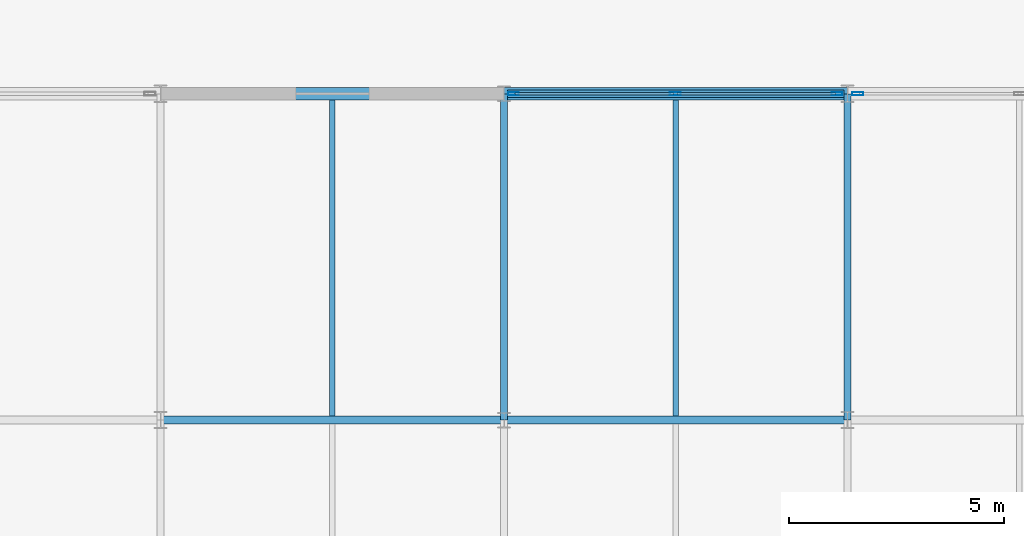
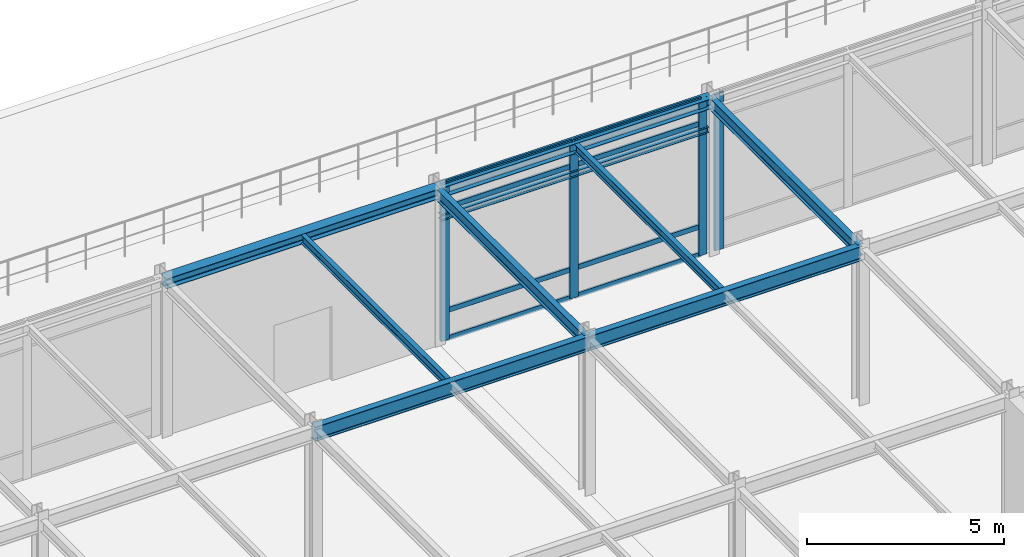
# One storey, part 40 of 79: 12 members, 9 beams, 2 elements without a shape of their own.
"""IFC4 building model written with IfcOpenShell, lengths in metres."""

from ifc_helpers import new_model, si_unit, direction, frame, origin, origin_2d, place, context, subcontext, project, spatial, hollow_rectangle, i_section, extrude, material, layer, layer_set, material_profile, profile_set, type_object, element, aggregate, save


model = new_model("IFC4")

# Units and contexts
model_context = context("Model", 3, precision=1e-05, world=origin(), true_north=direction((0.0, 1.0)))
body_context = subcontext(model_context, "Body", "Model", "MODEL_VIEW")
ifc_project = project(units=[si_unit("LENGTHUNIT", "METRE"), si_unit("AREAUNIT", "SQUARE_METRE"), si_unit("VOLUMEUNIT", "CUBIC_METRE"), si_unit("PLANEANGLEUNIT", "RADIAN"), si_unit("MASSUNIT", "GRAM", prefix="KILO")], contexts=[model_context])

# Site, building, storey
site_placement = place(None, origin())
site = spatial("IfcSite", under=ifc_project, at=site_placement, CompositionType="ELEMENT")
building_placement = place(site_placement, origin())
building = spatial("IfcBuilding", under=site, at=building_placement, Name="Shalkamar Park Central Library", CompositionType="ELEMENT")
storey_placement = place(building_placement, frame((0.0, 0.0, 10.5)))
storey = spatial("IfcBuildingStorey", under=building, at=storey_placement, Name="L03", CompositionType="ELEMENT", Elevation=10.5)

# Beams
ifc_material_1 = material(Name="Steel S355", Category="steel")
ifc_material_profile_1 = material_profile(ifc_material_1, i_section(OverallWidth=0.135009765625, OverallDepth=0.27001953125, WebThickness=0.006591796875, FlangeThickness=0.01025390625, FilletRadius=0.014892578125, at=origin_2d()), Name="IPE 270")
ifc_profile_set_1 = profile_set([ifc_material_profile_1], Name="Steel S355")
beam_type_1 = type_object("IfcBeamType", Name="Composite Floor Joist IPE270", PredefinedType="JOIST", material=ifc_profile_set_1)
for number, where, z_axis, x_axis, name in (
    (1, (185.0, 316.093017578125, 4.705078125), (0.0, 1.0, 0.0), (-1.0, 0.0, 0.0), "Composite Joist 09/L-1 (L03)"),
    (2, (193.0, 316.093017578125, 4.705078125), (0.0, 1.0, 0.0), (-1.0, 0.0, 0.0), "Composite Joist 10/L-1 (L03)"),
):
    element("IfcBeam", number, at=place(storey_placement, frame(where, z_axis=z_axis, x_axis=x_axis)), inside=storey, type_object=beam_type_1, Name=name, PredefinedType="JOIST", context=body_context, shape_type="SweptSolid", body=[
        extrude(i_section(OverallWidth=0.135009765625, OverallDepth=0.27001953125, WebThickness=0.006591796875, FlangeThickness=0.01025390625, FilletRadius=0.014892578125, at=origin_2d()), origin(), (0.0, 0.0, 1.0), 7.35888671875),
    ])

# Curtain wall, members
ifc_material_2 = material(Name="Thermally broken aluminium and triple low-e curtain wall", Category="aluminium")
ifc_layer_1 = layer(ifc_material_2, 0.25)
ifc_layer_set_1 = layer_set([ifc_layer_1], Name="UnitisedCurtainWall_43")
curtain_wall_type_1 = type_object("IfcCurtainWallType", Name="Unitised Curtain Wall 43", PredefinedType="USERDEFINED", material=ifc_layer_set_1)
curtain_wall_1_placement = place(storey_placement, origin())
curtain_wall_1 = element("IfcCurtainWall", 3, at=curtain_wall_1_placement, inside=storey, type_object=curtain_wall_type_1, Name="Unitised Curtain Wall CW-L03-051", ObjectType="UNITISED CURTAIN WALL", PredefinedType="USERDEFINED")
ifc_material_3 = material(Name="Aluminium 6060-T66", Category="aluminium")
ifc_material_profile_2 = material_profile(ifc_material_3, hollow_rectangle(XDim=0.074951171875, YDim=0.25, WallThickness=0.00390625, InnerFilletRadius=0.00390625, OuterFilletRadius=0.006103515625, at=origin_2d()), Name="ALU 75x250x4")
ifc_profile_set_2 = profile_set([ifc_material_profile_2], Name="Aluminium 6060-T66")
member_type_1 = type_object("IfcMemberType", Name="Curtain Wall Mullion ALU75x250", PredefinedType="MULLION", material=ifc_profile_set_2)
member_1_placement = place(storey_placement, frame((189.221435546875, 323.60009765625, 0.0), z_axis=(0.0, 0.0, 1.0), x_axis=(0.0, 1.0, 0.0)))
member_1 = element("IfcMember", 4, at=member_1_placement, type_object=member_type_1, Name="CW-43 mullion 1", PredefinedType="MULLION", context=body_context, shape_type="SweptSolid", body=[
    extrude(hollow_rectangle(XDim=0.074951171875, YDim=0.25, WallThickness=0.00390625, InnerFilletRadius=0.00390625, OuterFilletRadius=0.006103515625, at=origin_2d()), origin(), (0.0, 0.0, 1.0), 4.840087890625),
])
member_2_placement = place(storey_placement, frame((192.989990234375, 323.60009765625, 0.0), z_axis=(0.0, 0.0, 1.0), x_axis=(0.0, 1.0, 0.0)))
member_2 = element("IfcMember", 5, at=member_2_placement, type_object=member_type_1, Name="CW-43 mullion 2", PredefinedType="MULLION", context=body_context, shape_type="SweptSolid", body=[
    extrude(hollow_rectangle(XDim=0.074951171875, YDim=0.25, WallThickness=0.00390625, InnerFilletRadius=0.00390625, OuterFilletRadius=0.006103515625, at=origin_2d()), origin(), (0.0, 0.0, 1.0), 4.840087890625),
])
member_3_placement = place(storey_placement, frame((196.758544921875, 323.60009765625, 0.0), z_axis=(0.0, 0.0, 1.0), x_axis=(0.0, 1.0, 0.0)))
member_3 = element("IfcMember", 6, at=member_3_placement, type_object=member_type_1, Name="CW-43 mullion 3", PredefinedType="MULLION", context=body_context, shape_type="SweptSolid", body=[
    extrude(hollow_rectangle(XDim=0.074951171875, YDim=0.25, WallThickness=0.00390625, InnerFilletRadius=0.00390625, OuterFilletRadius=0.006103515625, at=origin_2d()), origin(), (0.0, 0.0, 1.0), 4.840087890625),
])

# Curtain wall, member
ifc_layer_2 = layer(ifc_material_2, 0.260009765625)
ifc_layer_set_2 = layer_set([ifc_layer_2], Name="UnitisedCurtainWall_44")
curtain_wall_type_2 = type_object("IfcCurtainWallType", Name="Unitised Curtain Wall 44", PredefinedType="USERDEFINED", material=ifc_layer_set_2)
curtain_wall_2_placement = place(storey_placement, origin())
curtain_wall_2 = element("IfcCurtainWall", 7, at=curtain_wall_2_placement, inside=storey, type_object=curtain_wall_type_2, Name="Unitised Curtain Wall CW-L03-052", ObjectType="UNITISED CURTAIN WALL", PredefinedType="USERDEFINED")
ifc_material_profile_3 = material_profile(ifc_material_3, hollow_rectangle(XDim=0.074951171875, YDim=0.260009765625, WallThickness=0.00439453125, InnerFilletRadius=0.00439453125, OuterFilletRadius=0.0068359375, at=origin_2d()), Name="ALU 75x260x4.5")
ifc_profile_set_3 = profile_set([ifc_material_profile_3], Name="Aluminium 6060-T66")
member_type_2 = type_object("IfcMemberType", Name="Curtain Wall Mullion ALU75x260", PredefinedType="MULLION", material=ifc_profile_set_3)
member_4_placement = place(storey_placement, frame((197.241455078125, 323.60009765625, 0.0), z_axis=(0.0, 0.0, 1.0), x_axis=(0.0, 1.0, 0.0)))
member_4 = element("IfcMember", 8, at=member_4_placement, type_object=member_type_2, Name="CW-44 mullion 1", PredefinedType="MULLION", context=body_context, shape_type="SweptSolid", body=[
    extrude(hollow_rectangle(XDim=0.074951171875, YDim=0.260009765625, WallThickness=0.00439453125, InnerFilletRadius=0.00439453125, OuterFilletRadius=0.0068359375, at=origin_2d()), origin(), (0.0, 0.0, 1.0), 4.840087890625),
])
aggregate(curtain_wall_2, [member_4])

# Member
ifc_material_profile_4 = material_profile(ifc_material_3, hollow_rectangle(XDim=0.06005859375, YDim=0.159912109375, WallThickness=0.00390625, InnerFilletRadius=0.00390625, OuterFilletRadius=0.006103515625, at=origin_2d()), Name="ALU 60x160x4")
ifc_profile_set_4 = profile_set([ifc_material_profile_4], Name="Aluminium 6060-T66")
member_type_3 = type_object("IfcMemberType", Name="Curtain Wall Transom ALU60x160", PredefinedType="USERDEFINED", material=ifc_profile_set_4)
member_5_placement = place(storey_placement, frame((189.259033203125, 323.60009765625, 0.030029296875), z_axis=(1.0, 0.0, 0.0), x_axis=(0.0, 1.0, 0.0)))
member_5 = element("IfcMember", 9, at=member_5_placement, type_object=member_type_3, Name="CW-43 transom 1.1", ObjectType="TRANSOM", PredefinedType="USERDEFINED", context=body_context, shape_type="SweptSolid", body=[
    extrude(hollow_rectangle(XDim=0.06005859375, YDim=0.159912109375, WallThickness=0.00390625, InnerFilletRadius=0.00390625, OuterFilletRadius=0.006103515625, at=origin_2d()), origin(), (0.0, 0.0, 1.0), 3.693359375),
])

member_6_placement = place(storey_placement, frame((189.259033203125, 323.60009765625, 0.89990234375), z_axis=(1.0, 0.0, 0.0), x_axis=(0.0, 1.0, 0.0)))
member_6 = element("IfcMember", 10, at=member_6_placement, type_object=member_type_3, Name="CW-43 transom 1.2", ObjectType="TRANSOM", PredefinedType="USERDEFINED", context=body_context, shape_type="SweptSolid", body=[
    extrude(hollow_rectangle(XDim=0.06005859375, YDim=0.159912109375, WallThickness=0.00390625, InnerFilletRadius=0.00390625, OuterFilletRadius=0.006103515625, at=origin_2d()), origin(), (0.0, 0.0, 1.0), 3.693359375),
])

member_7_placement = place(storey_placement, frame((189.259033203125, 323.60009765625, 4.090087890625), z_axis=(1.0, 0.0, 0.0), x_axis=(0.0, 1.0, 0.0)))
member_7 = element("IfcMember", 11, at=member_7_placement, type_object=member_type_3, Name="CW-43 transom 1.3", ObjectType="TRANSOM", PredefinedType="USERDEFINED", context=body_context, shape_type="SweptSolid", body=[
    extrude(hollow_rectangle(XDim=0.06005859375, YDim=0.159912109375, WallThickness=0.00390625, InnerFilletRadius=0.00390625, OuterFilletRadius=0.006103515625, at=origin_2d()), origin(), (0.0, 0.0, 1.0), 3.693359375),
])

member_8_placement = place(storey_placement, frame((189.259033203125, 323.60009765625, 4.81005859375), z_axis=(1.0, 0.0, 0.0), x_axis=(0.0, 1.0, 0.0)))
member_8 = element("IfcMember", 12, at=member_8_placement, type_object=member_type_3, Name="CW-43 transom 1.4", ObjectType="TRANSOM", PredefinedType="USERDEFINED", context=body_context, shape_type="SweptSolid", body=[
    extrude(hollow_rectangle(XDim=0.06005859375, YDim=0.159912109375, WallThickness=0.00390625, InnerFilletRadius=0.00390625, OuterFilletRadius=0.006103515625, at=origin_2d()), origin(), (0.0, 0.0, 1.0), 3.693359375),
])

member_9_placement = place(storey_placement, frame((193.027587890625, 323.60009765625, 0.030029296875), z_axis=(1.0, 0.0, 0.0), x_axis=(0.0, 1.0, 0.0)))
member_9 = element("IfcMember", 13, at=member_9_placement, type_object=member_type_3, Name="CW-43 transom 2.1", ObjectType="TRANSOM", PredefinedType="USERDEFINED", context=body_context, shape_type="SweptSolid", body=[
    extrude(hollow_rectangle(XDim=0.06005859375, YDim=0.159912109375, WallThickness=0.00390625, InnerFilletRadius=0.00390625, OuterFilletRadius=0.006103515625, at=origin_2d()), origin(), (0.0, 0.0, 1.0), 3.693359375),
])

member_10_placement = place(storey_placement, frame((193.027587890625, 323.60009765625, 0.89990234375), z_axis=(1.0, 0.0, 0.0), x_axis=(0.0, 1.0, 0.0)))
member_10 = element("IfcMember", 14, at=member_10_placement, type_object=member_type_3, Name="CW-43 transom 2.2", ObjectType="TRANSOM", PredefinedType="USERDEFINED", context=body_context, shape_type="SweptSolid", body=[
    extrude(hollow_rectangle(XDim=0.06005859375, YDim=0.159912109375, WallThickness=0.00390625, InnerFilletRadius=0.00390625, OuterFilletRadius=0.006103515625, at=origin_2d()), origin(), (0.0, 0.0, 1.0), 3.693359375),
])

member_11_placement = place(storey_placement, frame((193.027587890625, 323.60009765625, 4.090087890625), z_axis=(1.0, 0.0, 0.0), x_axis=(0.0, 1.0, 0.0)))
member_11 = element("IfcMember", 15, at=member_11_placement, type_object=member_type_3, Name="CW-43 transom 2.3", ObjectType="TRANSOM", PredefinedType="USERDEFINED", context=body_context, shape_type="SweptSolid", body=[
    extrude(hollow_rectangle(XDim=0.06005859375, YDim=0.159912109375, WallThickness=0.00390625, InnerFilletRadius=0.00390625, OuterFilletRadius=0.006103515625, at=origin_2d()), origin(), (0.0, 0.0, 1.0), 3.693359375),
])

member_12_placement = place(storey_placement, frame((193.027587890625, 323.60009765625, 4.81005859375), z_axis=(1.0, 0.0, 0.0), x_axis=(0.0, 1.0, 0.0)))
member_12 = element("IfcMember", 16, at=member_12_placement, type_object=member_type_3, Name="CW-43 transom 2.4", ObjectType="TRANSOM", PredefinedType="USERDEFINED", context=body_context, shape_type="SweptSolid", body=[
    extrude(hollow_rectangle(XDim=0.06005859375, YDim=0.159912109375, WallThickness=0.00390625, InnerFilletRadius=0.00390625, OuterFilletRadius=0.006103515625, at=origin_2d()), origin(), (0.0, 0.0, 1.0), 3.693359375),
])

aggregate(curtain_wall_1, [member_1, member_2, member_3, member_5, member_6, member_7, member_8, member_9, member_10, member_11, member_12])

# Beams
ifc_material_profile_5 = material_profile(ifc_material_1, i_section(OverallWidth=0.179931640625, OverallDepth=0.1708984375, WebThickness=0.006103515625, FlangeThickness=0.009521484375, FilletRadius=0.014892578125, at=origin_2d()), Name="HEA 180")
ifc_profile_set_5 = profile_set([ifc_material_profile_5], Name="Steel S355")
beam_type_2 = type_object("IfcBeamType", Name="Opening Lintel Beam HEA180", PredefinedType="LINTEL", material=ifc_profile_set_5)
beam_placement = place(storey_placement, frame((189.080078125, 323.60009765625, 3.85009765625), z_axis=(1.0, 0.0, 0.0), x_axis=(0.0, 1.0, 0.0)))
element("IfcBeam", 17, at=beam_placement, inside=storey, type_object=beam_type_2, Name="Opening Lintel L03-32", PredefinedType="LINTEL", context=body_context, shape_type="SweptSolid", body=[
    extrude(i_section(OverallWidth=0.179931640625, OverallDepth=0.1708984375, WebThickness=0.006103515625, FlangeThickness=0.009521484375, FilletRadius=0.014892578125, at=origin_2d()), origin(), (0.0, 0.0, 1.0), 7.83984375),
])
ifc_material_profile_6 = material_profile(ifc_material_1, i_section(OverallWidth=0.300048828125, OverallDepth=0.31005859375, WebThickness=0.009033203125, FlangeThickness=0.015380859375, FilletRadius=0.027099609375, at=origin_2d()), Name="HEA 320")
ifc_profile_set_6 = profile_set([ifc_material_profile_6], Name="Steel S355")
beam_type_3 = type_object("IfcBeamType", Name="Perimeter Spandrel Beam HEA320", PredefinedType="SPANDREL", material=ifc_profile_set_6)
for number, where, z_axis, x_axis, name in (
    (18, (181.0, 323.60009765625, 4.68505859375), (1.0, 0.0, 0.0), (0.0, 1.0, 0.0), "Beam M:09-10 (L03)"),
    (19, (189.0, 323.60009765625, 4.68505859375), (1.0, 0.0, 0.0), (0.0, 1.0, 0.0), "Beam M:10-11 (L03)"),
):
    element("IfcBeam", number, at=place(storey_placement, frame(where, z_axis=z_axis, x_axis=x_axis)), inside=storey, type_object=beam_type_3, Name=name, PredefinedType="SPANDREL", context=body_context, shape_type="SweptSolid", body=[
        extrude(i_section(OverallWidth=0.300048828125, OverallDepth=0.31005859375, WebThickness=0.009033203125, FlangeThickness=0.015380859375, FilletRadius=0.027099609375, at=origin_2d()), origin(), (0.0, 0.0, 1.0), 8.0),
    ])
ifc_material_profile_7 = material_profile(ifc_material_1, i_section(OverallWidth=0.169921875, OverallDepth=0.360107421875, WebThickness=0.008056640625, FlangeThickness=0.0126953125, FilletRadius=0.01806640625, at=origin_2d()), Name="IPE 360")
ifc_profile_set_7 = profile_set([ifc_material_profile_7], Name="Steel S355")
beam_type_4 = type_object("IfcBeamType", Name="Primary Girder IPE360", PredefinedType="BEAM", material=ifc_profile_set_7)
for number, where, z_axis, x_axis, name in (
    (20, (189.0, 316.0, 4.659912109375), (0.0, 1.0, 0.0), (-1.0, 0.0, 0.0), "Beam 10:L-M (L03)"),
    (21, (197.0, 316.0, 4.659912109375), (0.0, 1.0, 0.0), (-1.0, 0.0, 0.0), "Beam 11:L-M (L03)"),
):
    element("IfcBeam", number, at=place(storey_placement, frame(where, z_axis=z_axis, x_axis=x_axis)), inside=storey, type_object=beam_type_4, Name=name, PredefinedType="BEAM", context=body_context, shape_type="SweptSolid", body=[
        extrude(i_section(OverallWidth=0.169921875, OverallDepth=0.360107421875, WebThickness=0.008056640625, FlangeThickness=0.0126953125, FilletRadius=0.01806640625, at=origin_2d()), origin(), (0.0, 0.0, 1.0), 7.60009765625),
    ])
ifc_material_profile_8 = material_profile(ifc_material_1, i_section(OverallWidth=0.18994140625, OverallDepth=0.449951171875, WebThickness=0.009521484375, FlangeThickness=0.0146484375, FilletRadius=0.02099609375, at=origin_2d()), Name="IPE 450")
ifc_profile_set_8 = profile_set([ifc_material_profile_8], Name="Steel S355")
beam_type_5 = type_object("IfcBeamType", Name="Primary Girder IPE450", PredefinedType="BEAM", material=ifc_profile_set_8)
for number, where, z_axis, x_axis, name in (
    (22, (181.0, 316.0, 4.614990234375), (1.0, 0.0, 0.0), (0.0, 1.0, 0.0), "Beam L:09-10 (L03)"),
    (23, (189.0, 316.0, 4.614990234375), (1.0, 0.0, 0.0), (0.0, 1.0, 0.0), "Beam L:10-11 (L03)"),
):
    element("IfcBeam", number, at=place(storey_placement, frame(where, z_axis=z_axis, x_axis=x_axis)), inside=storey, type_object=beam_type_5, Name=name, PredefinedType="BEAM", context=body_context, shape_type="SweptSolid", body=[
        extrude(i_section(OverallWidth=0.18994140625, OverallDepth=0.449951171875, WebThickness=0.009521484375, FlangeThickness=0.0146484375, FilletRadius=0.02099609375, at=origin_2d()), origin(), (0.0, 0.0, 1.0), 8.0),
    ])

save(model, "model.ifc")
